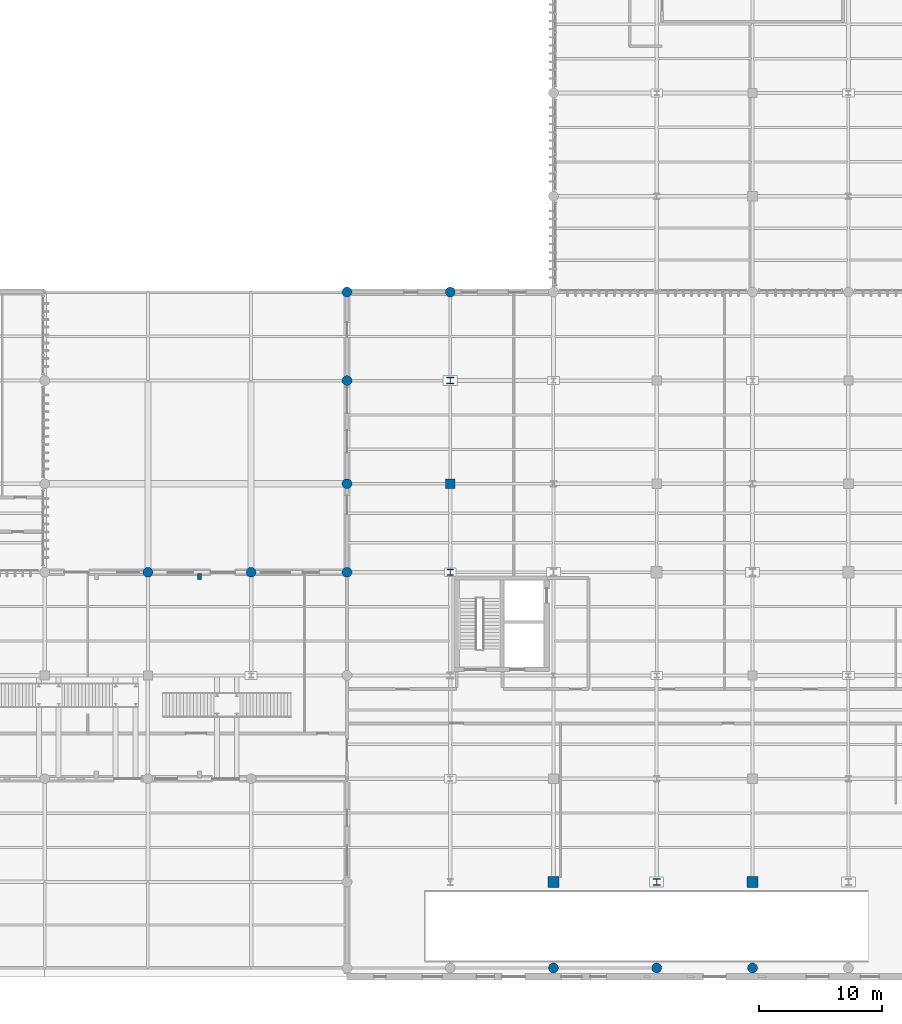
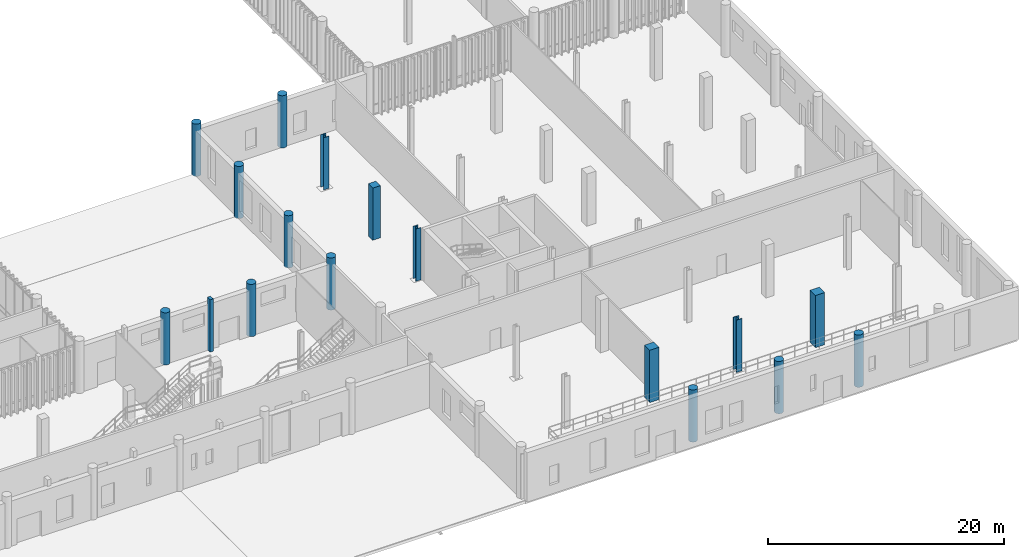
# One storey, part 9 of 112: 17 columns.
"""IFC4 building model written with IfcOpenShell, lengths in metres."""

from ifc_helpers import new_model, si_unit, direction, frame, origin_with_axes, origin_2d_with_axis, place, context, subcontext, project, spatial, rectangle, circle, i_section, extrude, material, material_profile, profile_set, type_object, element, save


model = new_model("IFC4")

# Units and contexts
model_context = context("Model", 3, precision=1e-05, world=origin_with_axes(), true_north=direction((0.0, 1.0)))
body_context = subcontext(model_context, "Body", "Model", "MODEL_VIEW")
ifc_project = project(units=[si_unit("LENGTHUNIT", "METRE"), si_unit("AREAUNIT", "SQUARE_METRE"), si_unit("VOLUMEUNIT", "CUBIC_METRE"), si_unit("PLANEANGLEUNIT", "RADIAN"), si_unit("MASSUNIT", "GRAM", prefix="KILO"), si_unit("THERMODYNAMICTEMPERATUREUNIT", "KELVIN")], contexts=[model_context])

# Site, building, storey
site_placement = place(None, origin_with_axes())
site = spatial("IfcSite", under=ifc_project, at=site_placement, CompositionType="ELEMENT")
building_placement = place(site_placement, origin_with_axes())
building = spatial("IfcBuilding", under=site, at=building_placement, Name="Montbau Bow Law Courts", CompositionType="ELEMENT")
storey_placement = place(building_placement, origin_with_axes())
storey = spatial("IfcBuildingStorey", under=building, at=storey_placement, Name="L00", CompositionType="ELEMENT", Elevation=0.0)

# Columns
ifc_material_1 = material(Name="Concrete CSA A23.1 f'c 40 MPa", Category="concrete")
ifc_material_profile_1 = material_profile(ifc_material_1, rectangle(XDim=0.32, YDim=0.48, at=origin_2d_with_axis()), Name="RC480X320", Category="Main", Priority=0)
ifc_profile_set_1 = profile_set([ifc_material_profile_1], Name="Concrete CSA A23.1 f'c 40 MPa")
column_type_1 = type_object("IfcColumnType", Name="C-PIL-02", PredefinedType="PILASTER", material=ifc_profile_set_1)
column_1_placement = place(None, frame((109.8, 38.65, 0.0), z_axis=(0.0, 0.0, 1.0), x_axis=(1.0, 0.0, 0.0)))
element("IfcColumn", 1, at=column_1_placement, inside=storey, type_object=column_type_1, Name="PL-L00-S16:pil2_0047", PredefinedType="PILASTER", context=body_context, shape_type="SweptSolid", body=[
    extrude(rectangle(XDim=0.32, YDim=0.48, at=origin_2d_with_axis()), origin_with_axes(), (0.0, 0.0, 1.0), 5.4),
])
ifc_material_2 = material(Name="Concrete CSA A23.1 f'c 45 MPa", Category="concrete")
ifc_material_profile_2 = material_profile(ifc_material_2, rectangle(XDim=0.9, YDim=0.9, at=origin_2d_with_axis()), Name="RC900X900", Category="Main", Priority=0)
ifc_profile_set_2 = profile_set([ifc_material_profile_2], Name="Concrete CSA A23.1 f'c 45 MPa")
column_type_2 = type_object("IfcColumnType", Name="C-RC-01", PredefinedType="COLUMN", material=ifc_profile_set_2)
for number, where, z_axis, x_axis, name in (
    (2, (138.6, 13.8, 0.0), (0.0, 0.0, 1.0), (1.0, 0.0, 0.0), "C-L00-S0285:col2_0285"),
    (3, (154.8, 13.8, 0.0), (0.0, 0.0, 1.0), (1.0, 0.0, 0.0), "C-L00-S0315:col2_0315"),
):
    element("IfcColumn", number, at=place(None, frame(where, z_axis=z_axis, x_axis=x_axis)), inside=storey, type_object=column_type_2, Name=name, PredefinedType="COLUMN", context=body_context, shape_type="SweptSolid", body=[
        extrude(rectangle(XDim=0.9, YDim=0.9, at=origin_2d_with_axis()), origin_with_axes(), (0.0, 0.0, 1.0), 5.4),
    ])
ifc_material_profile_3 = material_profile(ifc_material_1, rectangle(XDim=0.75, YDim=0.75, at=origin_2d_with_axis()), Name="RC750X750", Category="Main", Priority=0)
ifc_profile_set_3 = profile_set([ifc_material_profile_3], Name="Concrete CSA A23.1 f'c 40 MPa")
column_type_3 = type_object("IfcColumnType", Name="C-RC-03", PredefinedType="COLUMN", material=ifc_profile_set_3)
column_2_placement = place(None, frame((130.2, 46.2, 0.0), z_axis=(0.0, 0.0, 1.0), x_axis=(1.0, 0.0, 0.0)))
element("IfcColumn", 4, at=column_2_placement, inside=storey, type_object=column_type_3, Name="C-L00-S0281:col2_0281", PredefinedType="COLUMN", context=body_context, shape_type="SweptSolid", body=[
    extrude(rectangle(XDim=0.75, YDim=0.75, at=origin_2d_with_axis()), origin_with_axes(), (0.0, 0.0, 1.0), 5.4),
])
ifc_material_profile_4 = material_profile(ifc_material_1, circle(Radius=0.4, at=origin_2d_with_axis()), Name="RC800D", Category="Main", Priority=0)
ifc_profile_set_4 = profile_set([ifc_material_profile_4], Name="Concrete CSA A23.1 f'c 40 MPa")
column_type_4 = type_object("IfcColumnType", Name="C-RC-07", PredefinedType="COLUMN", material=ifc_profile_set_4)
for number, where, z_axis, x_axis, name in (
    (5, (105.6, 39.0, 0.0), (0.0, 0.0, 1.0), (1.0, 0.0, 0.0), "C-L00-S0264:col2_0264"),
    (6, (114.0, 39.0, 0.0), (0.0, 0.0, 1.0), (1.0, 0.0, 0.0), "C-L00-S0267:col2_0267"),
    (7, (121.8, 39.0, 0.0), (0.0, 0.0, 1.0), (1.0, 0.0, 0.0), "C-L00-S0272:col2_0272"),
    (8, (121.8, 46.2, 0.0), (0.0, 0.0, 1.0), (1.0, 0.0, 0.0), "C-L00-S0273:col2_0273"),
    (9, (121.8, 54.6, 0.0), (0.0, 0.0, 1.0), (1.0, 0.0, 0.0), "C-L00-S0274:col2_0274"),
    (10, (121.8, 61.8, 0.0), (0.0, 0.0, 1.0), (1.0, 0.0, 0.0), "C-L00-S0275:col2_0275"),
    (11, (130.2, 61.8, 0.0), (0.0, 0.0, 1.0), (1.0, 0.0, 0.0), "C-L00-S0283:col2_0283"),
    (12, (138.6, 6.8, 0.0), (0.0, 0.0, 1.0), (1.0, 0.0, 0.0), "C-L00-S0284:col2_0284"),
    (13, (147.0, 6.8, 0.0), (0.0, 0.0, 1.0), (1.0, 0.0, 0.0), "C-L00-S0299:col2_0299"),
    (14, (154.8, 6.8, 0.0), (0.0, 0.0, 1.0), (1.0, 0.0, 0.0), "C-L00-S0314:col2_0314"),
):
    element("IfcColumn", number, at=place(None, frame(where, z_axis=z_axis, x_axis=x_axis)), inside=storey, type_object=column_type_4, Name=name, PredefinedType="COLUMN", context=body_context, shape_type="SweptSolid", body=[
        extrude(circle(Radius=0.4, at=origin_2d_with_axis()), origin_with_axes(), (0.0, 0.0, 1.0), 5.4),
    ])
ifc_material_3 = material(Name="Steel CSA G40.21 Grade 350W (350 MPa)", Category="steel")
ifc_material_profile_5 = material_profile(ifc_material_3, i_section(OverallWidth=0.55, OverallDepth=0.55, WebThickness=0.025, FlangeThickness=0.042, at=origin_2d_with_axis()), Name="WWF550X420", Category="Main", Priority=0)
ifc_profile_set_5 = profile_set([ifc_material_profile_5], Name="Steel CSA G40.21 Grade 350W (350 MPa)")
column_type_5 = type_object("IfcColumnType", Name="C-STL-01", PredefinedType="COLUMN", material=ifc_profile_set_5)
for number, where, z_axis, x_axis, name in (
    (15, (130.2, 54.6, 0.0), (0.0, 0.0, 1.0), (1.0, 0.0, 0.0), "C-L00-S0282:col2_0282"),
    (16, (147.0, 13.8, 0.0), (0.0, 0.0, 1.0), (1.0, 0.0, 0.0), "C-L00-S0300:col2_0300"),
):
    element("IfcColumn", number, at=place(None, frame(where, z_axis=z_axis, x_axis=x_axis)), inside=storey, type_object=column_type_5, Name=name, PredefinedType="COLUMN", context=body_context, shape_type="SweptSolid", body=[
        extrude(i_section(OverallWidth=0.55, OverallDepth=0.55, WebThickness=0.025, FlangeThickness=0.042, at=origin_2d_with_axis()), origin_with_axes(), (0.0, 0.0, 1.0), 5.4),
    ])
ifc_material_profile_6 = material_profile(ifc_material_3, i_section(OverallWidth=0.5, OverallDepth=0.5, WebThickness=0.022, FlangeThickness=0.036, at=origin_2d_with_axis()), Name="WWF500X343", Category="Main", Priority=0)
ifc_profile_set_6 = profile_set([ifc_material_profile_6], Name="Steel CSA G40.21 Grade 350W (350 MPa)")
column_type_6 = type_object("IfcColumnType", Name="C-STL-02", PredefinedType="COLUMN", material=ifc_profile_set_6)
column_3_placement = place(None, frame((130.2, 39.0, 0.0), z_axis=(0.0, 0.0, 1.0), x_axis=(1.0, 0.0, 0.0)))
element("IfcColumn", 17, at=column_3_placement, inside=storey, type_object=column_type_6, Name="C-L00-S0280:col2_0280", PredefinedType="COLUMN", context=body_context, shape_type="SweptSolid", body=[
    extrude(i_section(OverallWidth=0.5, OverallDepth=0.5, WebThickness=0.022, FlangeThickness=0.036, at=origin_2d_with_axis()), origin_with_axes(), (0.0, 0.0, 1.0), 5.4),
])

save(model, "model.ifc")
